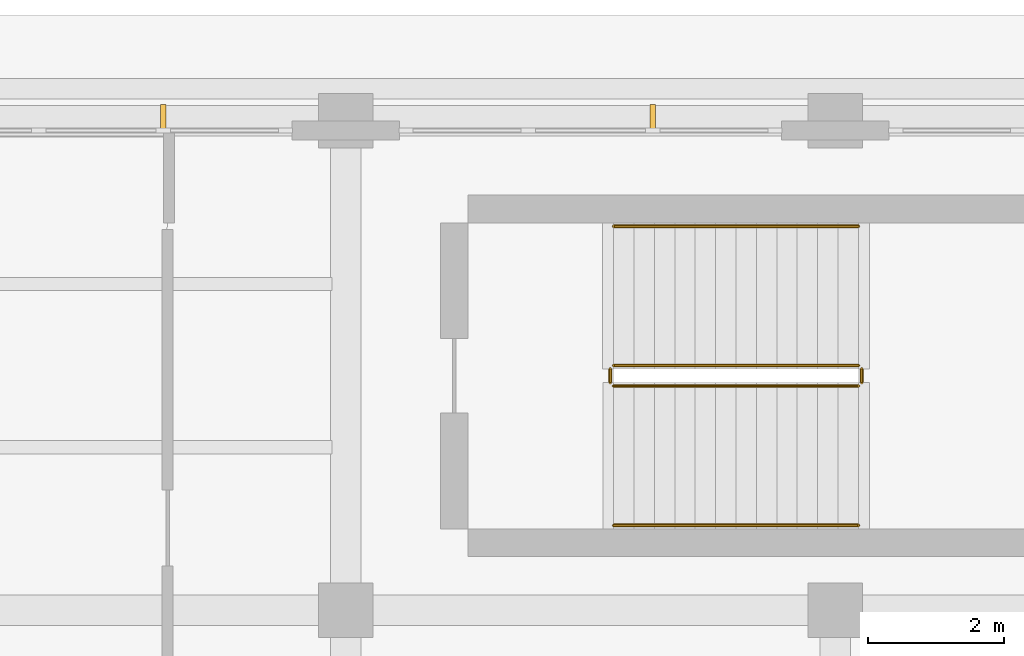
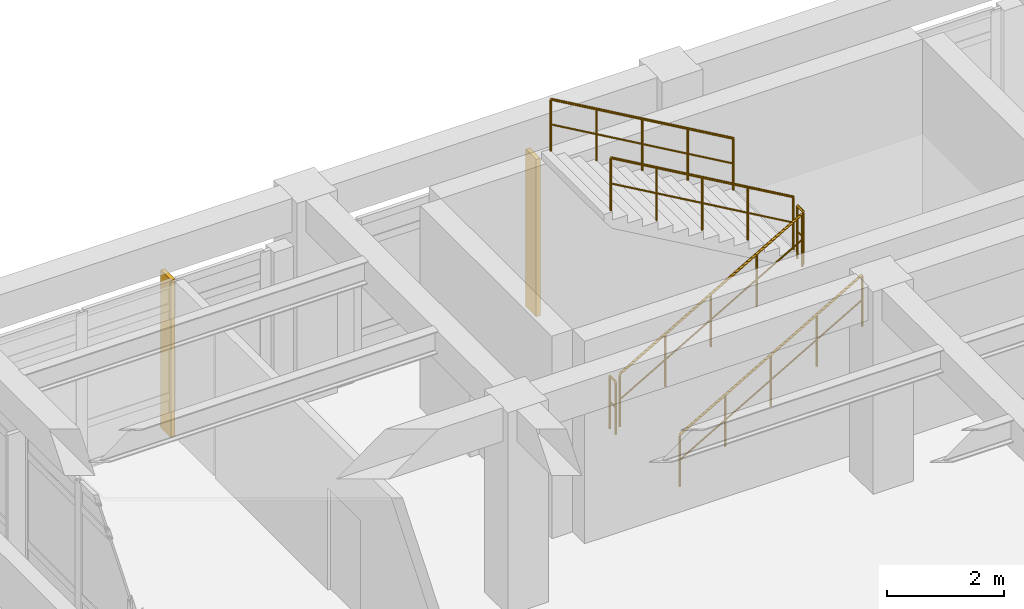
# One storey, part 61 of 67: 6 railings, 2 shading devices.
"""IFC4 building model written with IfcOpenShell, lengths in metres."""

from ifc_helpers import new_model, si_unit, direction, frame, origin, origin_2d, place, context, subcontext, project, spatial, rectangle, circle, extrude, material, material_profile, profile_set, type_object, element, save


model = new_model("IFC4")

# Units and contexts
model_context = context("Model", 3, precision=1e-05, world=origin(), true_north=direction((0.0, 1.0)))
body_context = subcontext(model_context, "Body", "Model", "MODEL_VIEW")
ifc_project = project(units=[si_unit("LENGTHUNIT", "METRE"), si_unit("AREAUNIT", "SQUARE_METRE"), si_unit("VOLUMEUNIT", "CUBIC_METRE"), si_unit("PLANEANGLEUNIT", "RADIAN"), si_unit("MASSUNIT", "GRAM", prefix="KILO")], contexts=[model_context])

# Site, building, storey
site_placement = place(None, origin())
site = spatial("IfcSite", under=ifc_project, at=site_placement, CompositionType="ELEMENT")
building_placement = place(site_placement, origin())
building = spatial("IfcBuilding", under=site, at=building_placement, Name="Solenvale Faculty of Natural Sciences", CompositionType="ELEMENT")
storey_placement = place(building_placement, frame((0.0, 0.0, 13.5)))
storey = spatial("IfcBuildingStorey", under=building, at=storey_placement, Name="L03", CompositionType="ELEMENT", Elevation=13.5)

# Railings
ifc_material_1 = material(Name="Stainless steel Grade 304", Category="steel")
railing_type_1 = type_object("IfcRailingType", Name="RL-GRD-1100", PredefinedType="GUARDRAIL", material=ifc_material_1)
railing_1_placement = place(storey_placement, frame((126.340087890625, 53.699951171875, 0.173095703125)))
element("IfcRailing", 1, at=railing_1_placement, inside=storey, type_object=railing_type_1, Name="L03 ST-08 stair guard 1", PredefinedType="GUARDRAIL", context=body_context, shape_type="SweptSolid", body=[
    extrude(circle(Radius=0.02392578125, at=origin_2d()), frame((0.0, 0.0, 1.09619140625), z_axis=(0.866178740119, 0.0, 0.499734319579), x_axis=(0.0, 1.0, 0.0)), (0.0, 0.0, 1.0), 4.156005859375),
    extrude(circle(Radius=0.01611328125, at=origin_2d()), frame((0.0, 0.0, 0.56005859375), z_axis=(0.866178740119, 0.0, 0.499734319579), x_axis=(0.0, 1.0, 0.0)), (0.0, 0.0, 1.0), 4.156005859375),
    extrude(circle(Radius=0.02099609375, at=origin_2d()), origin(), (0.0, 0.0, 1.0), 1.072021484375),
    extrude(circle(Radius=0.02099609375, at=origin_2d()), frame((0.89990234375, 0.0, 0.519287109375)), (0.0, 0.0, 1.0), 1.072021484375),
    extrude(circle(Radius=0.02099609375, at=origin_2d()), frame((1.7998046875, 0.0, 1.03857421875)), (0.0, 0.0, 1.0), 1.072021484375),
    extrude(circle(Radius=0.02099609375, at=origin_2d()), frame((2.699951171875, 0.0, 1.5576171875)), (0.0, 0.0, 1.0), 1.072021484375),
    extrude(circle(Radius=0.02099609375, at=origin_2d()), frame((3.599853515625, 0.0, 2.076904296875)), (0.0, 0.0, 1.0), 1.072021484375),
])
railing_2_placement = place(storey_placement, frame((129.989990234375, 53.75, 2.25)))
element("IfcRailing", 2, at=railing_2_placement, inside=storey, type_object=railing_type_1, Name="L03 ST-08 stair guard 2", PredefinedType="GUARDRAIL", context=body_context, shape_type="SweptSolid", body=[
    extrude(circle(Radius=0.02392578125, at=origin_2d()), frame((0.0, 0.0, 1.09619140625), z_axis=(0.0, 1.0, 0.0), x_axis=(-1.0, 0.0, 0.0)), (0.0, 0.0, 1.0), 0.199951171875),
    extrude(circle(Radius=0.01611328125, at=origin_2d()), frame((0.0, 0.0, 0.56005859375), z_axis=(0.0, 1.0, 0.0), x_axis=(-1.0, 0.0, 0.0)), (0.0, 0.0, 1.0), 0.199951171875),
    extrude(circle(Radius=0.02099609375, at=origin_2d()), origin(), (0.0, 0.0, 1.0), 1.072021484375),
    extrude(circle(Radius=0.02099609375, at=origin_2d()), frame((0.0, 0.199951171875, 0.0)), (0.0, 0.0, 1.0), 1.072021484375),
])
railing_3_placement = place(storey_placement, frame((129.93994140625, 54.0, 2.423095703125)))
element("IfcRailing", 3, at=railing_3_placement, inside=storey, type_object=railing_type_1, Name="L03 ST-08 stair guard 3", PredefinedType="GUARDRAIL", context=body_context, shape_type="SweptSolid", body=[
    extrude(circle(Radius=0.02392578125, at=origin_2d()), frame((0.0, 0.0, 1.09619140625), z_axis=(-0.866178740119, 0.0, 0.499734319579), x_axis=(0.0, -1.0, 0.0)), (0.0, 0.0, 1.0), 4.156005859375),
    extrude(circle(Radius=0.01611328125, at=origin_2d()), frame((0.0, 0.0, 0.56005859375), z_axis=(-0.866178740119, 0.0, 0.499734319579), x_axis=(0.0, -1.0, 0.0)), (0.0, 0.0, 1.0), 4.156005859375),
    extrude(circle(Radius=0.02099609375, at=origin_2d()), origin(), (0.0, 0.0, 1.0), 1.072021484375),
    extrude(circle(Radius=0.02099609375, at=origin_2d()), frame((-0.89990234375, 0.0, 0.519287109375)), (0.0, 0.0, 1.0), 1.072021484375),
    extrude(circle(Radius=0.02099609375, at=origin_2d()), frame((-1.7998046875, 0.0, 1.03857421875)), (0.0, 0.0, 1.0), 1.072021484375),
    extrude(circle(Radius=0.02099609375, at=origin_2d()), frame((-2.699951171875, 0.0, 1.5576171875)), (0.0, 0.0, 1.0), 1.072021484375),
    extrude(circle(Radius=0.02099609375, at=origin_2d()), frame((-3.599853515625, 0.0, 2.076904296875)), (0.0, 0.0, 1.0), 1.072021484375),
])
railing_4_placement = place(storey_placement, frame((126.2900390625, 53.75, 0.0)))
element("IfcRailing", 4, at=railing_4_placement, inside=storey, type_object=railing_type_1, Name="L03 ST-08 stair guard 4", PredefinedType="GUARDRAIL", context=body_context, shape_type="SweptSolid", body=[
    extrude(circle(Radius=0.02392578125, at=origin_2d()), frame((0.0, 0.0, 1.09619140625), z_axis=(0.0, 1.0, 0.0), x_axis=(-1.0, 0.0, 0.0)), (0.0, 0.0, 1.0), 0.199951171875),
    extrude(circle(Radius=0.01611328125, at=origin_2d()), frame((0.0, 0.0, 0.56005859375), z_axis=(0.0, 1.0, 0.0), x_axis=(-1.0, 0.0, 0.0)), (0.0, 0.0, 1.0), 0.199951171875),
    extrude(circle(Radius=0.02099609375, at=origin_2d()), origin(), (0.0, 0.0, 1.0), 1.072021484375),
    extrude(circle(Radius=0.02099609375, at=origin_2d()), frame((0.0, 0.199951171875, 0.0)), (0.0, 0.0, 1.0), 1.072021484375),
])
railing_type_2 = type_object("IfcRailingType", Name="RL-HND-900", PredefinedType="HANDRAIL", material=ifc_material_1)
railing_5_placement = place(storey_placement, frame((126.340087890625, 51.64990234375, 0.173095703125)))
element("IfcRailing", 5, at=railing_5_placement, inside=storey, type_object=railing_type_2, Name="L03 ST-08 stair handrail 1", PredefinedType="HANDRAIL", context=body_context, shape_type="SweptSolid", body=[
    extrude(circle(Radius=0.02392578125, at=origin_2d()), frame((0.0, 0.0, 1.0732421875), z_axis=(0.866178740119, 0.0, 0.499734319579), x_axis=(0.0, 1.0, 0.0)), (0.0, 0.0, 1.0), 4.156005859375),
    extrude(circle(Radius=0.01611328125, at=origin_2d()), frame((0.0, 0.0, 0.548583984375), z_axis=(0.866178740119, 0.0, 0.499734319579), x_axis=(0.0, 1.0, 0.0)), (0.0, 0.0, 1.0), 4.156005859375),
    extrude(circle(Radius=0.02099609375, at=origin_2d()), origin(), (0.0, 0.0, 1.0), 1.049072265625),
    extrude(circle(Radius=0.02099609375, at=origin_2d()), frame((0.89990234375, 0.0, 0.519287109375)), (0.0, 0.0, 1.0), 1.049072265625),
    extrude(circle(Radius=0.02099609375, at=origin_2d()), frame((1.7998046875, 0.0, 1.03857421875)), (0.0, 0.0, 1.0), 1.049072265625),
    extrude(circle(Radius=0.02099609375, at=origin_2d()), frame((2.699951171875, 0.0, 1.5576171875)), (0.0, 0.0, 1.0), 1.049072265625),
    extrude(circle(Radius=0.02099609375, at=origin_2d()), frame((3.599853515625, 0.0, 2.076904296875)), (0.0, 0.0, 1.0), 1.049072265625),
])
railing_6_placement = place(storey_placement, frame((129.93994140625, 56.050048828125, 2.423095703125)))
element("IfcRailing", 6, at=railing_6_placement, inside=storey, type_object=railing_type_2, Name="L03 ST-08 stair handrail 2", PredefinedType="HANDRAIL", context=body_context, shape_type="SweptSolid", body=[
    extrude(circle(Radius=0.02392578125, at=origin_2d()), frame((0.0, 0.0, 1.0732421875), z_axis=(-0.866178740119, 0.0, 0.499734319579), x_axis=(0.0, -1.0, 0.0)), (0.0, 0.0, 1.0), 4.156005859375),
    extrude(circle(Radius=0.01611328125, at=origin_2d()), frame((0.0, 0.0, 0.548583984375), z_axis=(-0.866178740119, 0.0, 0.499734319579), x_axis=(0.0, -1.0, 0.0)), (0.0, 0.0, 1.0), 4.156005859375),
    extrude(circle(Radius=0.02099609375, at=origin_2d()), origin(), (0.0, 0.0, 1.0), 1.049072265625),
    extrude(circle(Radius=0.02099609375, at=origin_2d()), frame((-0.89990234375, 0.0, 0.519287109375)), (0.0, 0.0, 1.0), 1.049072265625),
    extrude(circle(Radius=0.02099609375, at=origin_2d()), frame((-1.7998046875, 0.0, 1.03857421875)), (0.0, 0.0, 1.0), 1.049072265625),
    extrude(circle(Radius=0.02099609375, at=origin_2d()), frame((-2.699951171875, 0.0, 1.5576171875)), (0.0, 0.0, 1.0), 1.049072265625),
    extrude(circle(Radius=0.02099609375, at=origin_2d()), frame((-3.599853515625, 0.0, 2.076904296875)), (0.0, 0.0, 1.0), 1.049072265625),
])

# Shading devices
ifc_material_2 = material(Name="Anodised bronze aluminium", Category="aluminium")
ifc_material_profile = material_profile(ifc_material_2, rectangle(XDim=0.080078125, YDim=0.360107421875, at=origin_2d()), Name="ALU-FIN-80x360")
ifc_profile_set = profile_set([ifc_material_profile], Name="Anodised bronze aluminium")
shading_device_type = type_object("IfcShadingDeviceType", Name="SHD-FIN-360", PredefinedType="JALOUSIE", material=ifc_profile_set)
for number, where, z_axis, x_axis, name in (
    (7, (126.916748046875, 57.659912109375, -0.02001953125), (0.0, 0.0, 1.0), (1.0, 0.0, 0.0), "L03 Vertical Brise-Soleil Fin 3.5"),
    (8, (119.716552734375, 57.659912109375, -0.02001953125), (0.0, 0.0, 1.0), (1.0, 0.0, 0.0), "L03 Vertical Brise-Soleil Fin 3.6"),
):
    element("IfcShadingDevice", number, at=place(storey_placement, frame(where, z_axis=z_axis, x_axis=x_axis)), inside=storey, type_object=shading_device_type, Name=name, PredefinedType="JALOUSIE", context=body_context, shape_type="SweptSolid", body=[
        extrude(rectangle(XDim=0.080078125, YDim=0.360107421875, at=origin_2d()), origin(), (0.0, 0.0, 1.0), 3.280029296875),
    ])

save(model, "model.ifc")
